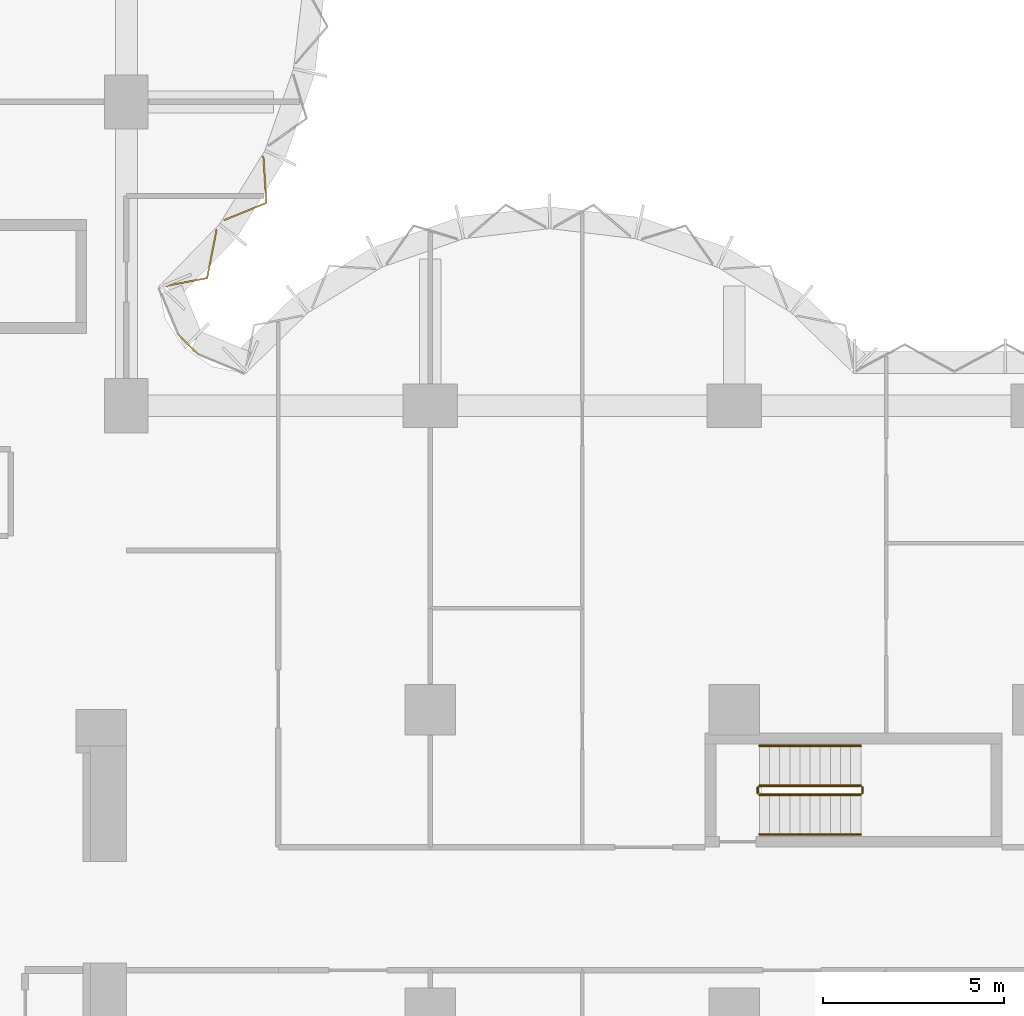
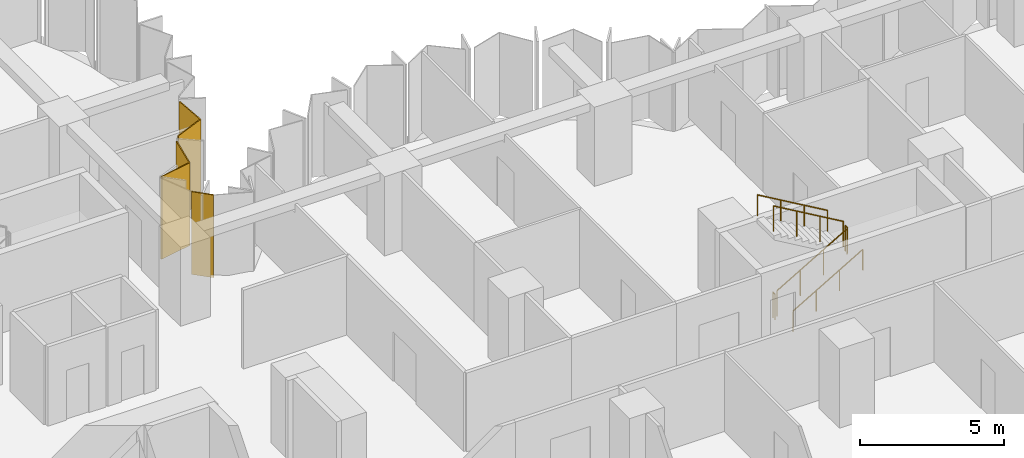
# One storey, part 17 of 18: 6 railings, 3 coverings, 2 elements without a shape of their own.
"""IFC4 building model written with IfcOpenShell, lengths in metres."""

from ifc_helpers import new_model, si_unit, direction, frame, origin, origin_2d, place, context, subcontext, project, spatial, polyline, circle, outline, extrude, material, layer, layer_set, type_object, element, aggregate, save


model = new_model("IFC4")

# Units and contexts
model_context = context("Model", 3, precision=1e-05, world=origin(), true_north=direction((0.0, 1.0)))
body_context = subcontext(model_context, "Body", "Model", "MODEL_VIEW")
ifc_project = project(units=[si_unit("LENGTHUNIT", "METRE"), si_unit("AREAUNIT", "SQUARE_METRE"), si_unit("VOLUMEUNIT", "CUBIC_METRE"), si_unit("PLANEANGLEUNIT", "RADIAN"), si_unit("MASSUNIT", "GRAM", prefix="KILO")], contexts=[model_context])

# Site, building, storey
site_placement = place(None, origin())
site = spatial("IfcSite", under=ifc_project, at=site_placement, CompositionType="ELEMENT")
building_placement = place(site_placement, origin())
building = spatial("IfcBuilding", under=site, at=building_placement, Name="Brevane Broadcast Tower", CompositionType="ELEMENT")
storey_placement = place(building_placement, frame((0.0, 0.0, 40.10009765625)))
storey = spatial("IfcBuildingStorey", under=building, at=storey_placement, Name="L07", CompositionType="ELEMENT", Elevation=40.10009765625)

# Railings
ifc_material_1 = material(Name="Steel S355", Category="steel")
railing_type_1 = type_object("IfcRailingType", Name="Exit stair guard", PredefinedType="GUARDRAIL", material=ifc_material_1)
railing_1_placement = place(storey_placement, frame((42.699951171875, 14.449951171875, 0.16357421875)))
element("IfcRailing", 1, at=railing_1_placement, inside=storey, type_object=railing_type_1, Name="L07 ST-4 stair guard 1", PredefinedType="GUARDRAIL", context=body_context, shape_type="SweptSolid", body=[
    extrude(circle(Radius=0.02392578125, at=origin_2d()), frame((0.0, 0.0, 1.076171875), z_axis=(0.863393664356, 0.0, 0.504530851732), x_axis=(0.0, 1.0, 0.0)), (0.0, 0.0, 1.0), 3.2431640625),
    extrude(circle(Radius=0.02099609375, at=origin_2d()), origin(), (0.0, 0.0, 1.0), 1.052001953125),
    extrude(circle(Radius=0.02099609375, at=origin_2d()), frame((0.933349609375, 0.0, 0.54541015625)), (0.0, 0.0, 1.0), 1.052001953125),
    extrude(circle(Radius=0.02099609375, at=origin_2d()), frame((1.86669921875, 0.0, 1.0908203125)), (0.0, 0.0, 1.0), 1.052001953125),
    extrude(circle(Radius=0.02099609375, at=origin_2d()), frame((2.800048828125, 0.0, 1.63623046875)), (0.0, 0.0, 1.0), 1.052001953125),
])
railing_2_placement = place(storey_placement, frame((45.550048828125, 14.5, 1.7998046875)))
element("IfcRailing", 2, at=railing_2_placement, inside=storey, type_object=railing_type_1, Name="L07 ST-4 stair guard 2", PredefinedType="GUARDRAIL", context=body_context, shape_type="SweptSolid", body=[
    extrude(circle(Radius=0.02392578125, at=origin_2d()), frame((0.0, 0.0, 1.076171875), z_axis=(0.0, 1.0, 0.0), x_axis=(-1.0, 0.0, 0.0)), (0.0, 0.0, 1.0), 0.14990234375),
    extrude(circle(Radius=0.02099609375, at=origin_2d()), origin(), (0.0, 0.0, 1.0), 1.052001953125),
    extrude(circle(Radius=0.02099609375, at=origin_2d()), frame((0.0, 0.14990234375, 0.0)), (0.0, 0.0, 1.0), 1.052001953125),
])
railing_3_placement = place(storey_placement, frame((45.5, 14.699951171875, 1.963623046875)))
element("IfcRailing", 3, at=railing_3_placement, inside=storey, type_object=railing_type_1, Name="L07 ST-4 stair guard 3", PredefinedType="GUARDRAIL", context=body_context, shape_type="SweptSolid", body=[
    extrude(circle(Radius=0.02392578125, at=origin_2d()), frame((0.0, 0.0, 1.076171875), z_axis=(-0.863393664356, 0.0, 0.504530851732), x_axis=(0.0, -1.0, 0.0)), (0.0, 0.0, 1.0), 3.2431640625),
    extrude(circle(Radius=0.02099609375, at=origin_2d()), origin(), (0.0, 0.0, 1.0), 1.052001953125),
    extrude(circle(Radius=0.02099609375, at=origin_2d()), frame((-0.933349609375, 0.0, 0.54541015625)), (0.0, 0.0, 1.0), 1.052001953125),
    extrude(circle(Radius=0.02099609375, at=origin_2d()), frame((-1.86669921875, 0.0, 1.0908203125)), (0.0, 0.0, 1.0), 1.052001953125),
    extrude(circle(Radius=0.02099609375, at=origin_2d()), frame((-2.800048828125, 0.0, 1.63623046875)), (0.0, 0.0, 1.0), 1.052001953125),
])
railing_4_placement = place(storey_placement, frame((42.64990234375, 14.5, 0.0)))
element("IfcRailing", 4, at=railing_4_placement, inside=storey, type_object=railing_type_1, Name="L07 ST-4 stair guard 4", PredefinedType="GUARDRAIL", context=body_context, shape_type="SweptSolid", body=[
    extrude(circle(Radius=0.02392578125, at=origin_2d()), frame((0.0, 0.0, 1.076171875), z_axis=(0.0, 1.0, 0.0), x_axis=(-1.0, 0.0, 0.0)), (0.0, 0.0, 1.0), 0.14990234375),
    extrude(circle(Radius=0.02099609375, at=origin_2d()), origin(), (0.0, 0.0, 1.0), 1.052001953125),
    extrude(circle(Radius=0.02099609375, at=origin_2d()), frame((0.0, 0.14990234375, 0.0)), (0.0, 0.0, 1.0), 1.052001953125),
])
railing_type_2 = type_object("IfcRailingType", Name="Exit stair handrail", PredefinedType="HANDRAIL", material=ifc_material_1)
railing_5_placement = place(storey_placement, frame((42.699951171875, 13.35009765625, 0.16357421875)))
element("IfcRailing", 5, at=railing_5_placement, inside=storey, type_object=railing_type_2, Name="L07 ST-4 stair handrail 1", PredefinedType="HANDRAIL", context=body_context, shape_type="SweptSolid", body=[
    extrude(circle(Radius=0.02392578125, at=origin_2d()), frame((0.0, 0.0, 0.8759765625), z_axis=(0.863393664356, 0.0, 0.504530851732), x_axis=(0.0, 1.0, 0.0)), (0.0, 0.0, 1.0), 3.2431640625),
    extrude(circle(Radius=0.02099609375, at=origin_2d()), origin(), (0.0, 0.0, 1.0), 0.851806640625),
    extrude(circle(Radius=0.02099609375, at=origin_2d()), frame((0.933349609375, 0.0, 0.54541015625)), (0.0, 0.0, 1.0), 0.851806640625),
    extrude(circle(Radius=0.02099609375, at=origin_2d()), frame((1.86669921875, 0.0, 1.0908203125)), (0.0, 0.0, 1.0), 0.851806640625),
    extrude(circle(Radius=0.02099609375, at=origin_2d()), frame((2.800048828125, 0.0, 1.63623046875)), (0.0, 0.0, 1.0), 0.851806640625),
])
railing_6_placement = place(storey_placement, frame((45.5, 15.800048828125, 1.963623046875)))
element("IfcRailing", 6, at=railing_6_placement, inside=storey, type_object=railing_type_2, Name="L07 ST-4 stair handrail 2", PredefinedType="HANDRAIL", context=body_context, shape_type="SweptSolid", body=[
    extrude(circle(Radius=0.02392578125, at=origin_2d()), frame((0.0, 0.0, 0.8759765625), z_axis=(-0.863393664356, 0.0, 0.504530851732), x_axis=(0.0, -1.0, 0.0)), (0.0, 0.0, 1.0), 3.2431640625),
    extrude(circle(Radius=0.02099609375, at=origin_2d()), origin(), (0.0, 0.0, 1.0), 0.851806640625),
    extrude(circle(Radius=0.02099609375, at=origin_2d()), frame((-0.933349609375, 0.0, 0.54541015625)), (0.0, 0.0, 1.0), 0.851806640625),
    extrude(circle(Radius=0.02099609375, at=origin_2d()), frame((-1.86669921875, 0.0, 1.0908203125)), (0.0, 0.0, 1.0), 0.851806640625),
    extrude(circle(Radius=0.02099609375, at=origin_2d()), frame((-2.800048828125, 0.0, 1.63623046875)), (0.0, 0.0, 1.0), 0.851806640625),
])

# Curtain wall, coverings
ifc_material_2 = material(Name="Aluminium 6063-T6 bronze anodised", Category="aluminium")
curtain_wall_type = type_object("IfcCurtainWallType", Name="CW-1 curtain wall", PredefinedType="NOTDEFINED", material=ifc_material_2)
curtain_wall_1_placement = place(storey_placement, origin())
curtain_wall_1 = element("IfcCurtainWall", 7, at=curtain_wall_1_placement, inside=storey, type_object=curtain_wall_type, Name="CW-1 typical tilted unit L07 north bow", PredefinedType="NOTDEFINED")
ifc_material_3 = material(Name="Back-painted bronze glass shadow-box", Category="glass")
ifc_layer = layer(ifc_material_3, 0.0400390625)
ifc_layer_set = layer_set([ifc_layer], Name="Shadow-box panel 40")
covering_type = type_object("IfcCoveringType", Name="Shadow-box panel 40", PredefinedType="CLADDING", material=ifc_layer_set)
covering_1_placement = place(storey_placement, frame((0.0, 0.0, -0.150146484375)))
covering_1 = element("IfcCovering", 8, at=covering_1_placement, type_object=covering_type, Name="Shadow-box panel", PredefinedType="CLADDING", context=body_context, shape_type="SweptSolid", body=[
    extrude(outline(polyline([(26.14404296875, 28.506103515625), (26.17919921875, 28.471923828125), (27.447265625, 28.7138671875), (27.71142578125, 30.0615234375), (27.67626953125, 30.089111328125), (27.4130859375, 28.748046875), (26.14404296875, 28.506103515625)])), origin(), (0.0, 0.0, 1.0), 3.5),
])
covering_2_placement = place(storey_placement, frame((0.0, 0.0, -0.150146484375)))
covering_2 = element("IfcCovering", 9, at=covering_2_placement, type_object=covering_type, Name="Shadow-box panel", PredefinedType="CLADDING", context=body_context, shape_type="SweptSolid", body=[
    extrude(outline(polyline([(27.8759765625, 30.343017578125), (27.912109375, 30.314697265625), (29.089111328125, 30.7958984375), (29.006591796875, 32.08935546875), (28.96533203125, 32.10888671875), (29.04736328125, 30.822265625), (27.8759765625, 30.343017578125)])), origin(), (0.0, 0.0, 1.0), 3.5),
])
aggregate(curtain_wall_1, [covering_1, covering_2])

# Curtain wall, covering
curtain_wall_2_placement = place(storey_placement, origin())
curtain_wall_2 = element("IfcCurtainWall", 10, at=curtain_wall_2_placement, inside=storey, type_object=curtain_wall_type, Name="CW-1 typical tilted unit L07 inner corner", PredefinedType="NOTDEFINED")
covering_3_placement = place(storey_placement, frame((0.0, 0.0, -0.150146484375)))
covering_3 = element("IfcCovering", 11, at=covering_3_placement, type_object=covering_type, Name="Closure panel", PredefinedType="CLADDING", context=body_context, shape_type="SweptSolid", body=[
    extrude(outline(polyline([(27.17138671875, 26.60498046875), (27.2021484375, 26.635498046875), (26.635498046875, 27.2021484375), (26.60498046875, 27.17138671875), (27.17138671875, 26.60498046875)])), origin(), (0.0, 0.0, 1.0), 3.5),
])
aggregate(curtain_wall_2, [covering_3])

save(model, "model.ifc")
